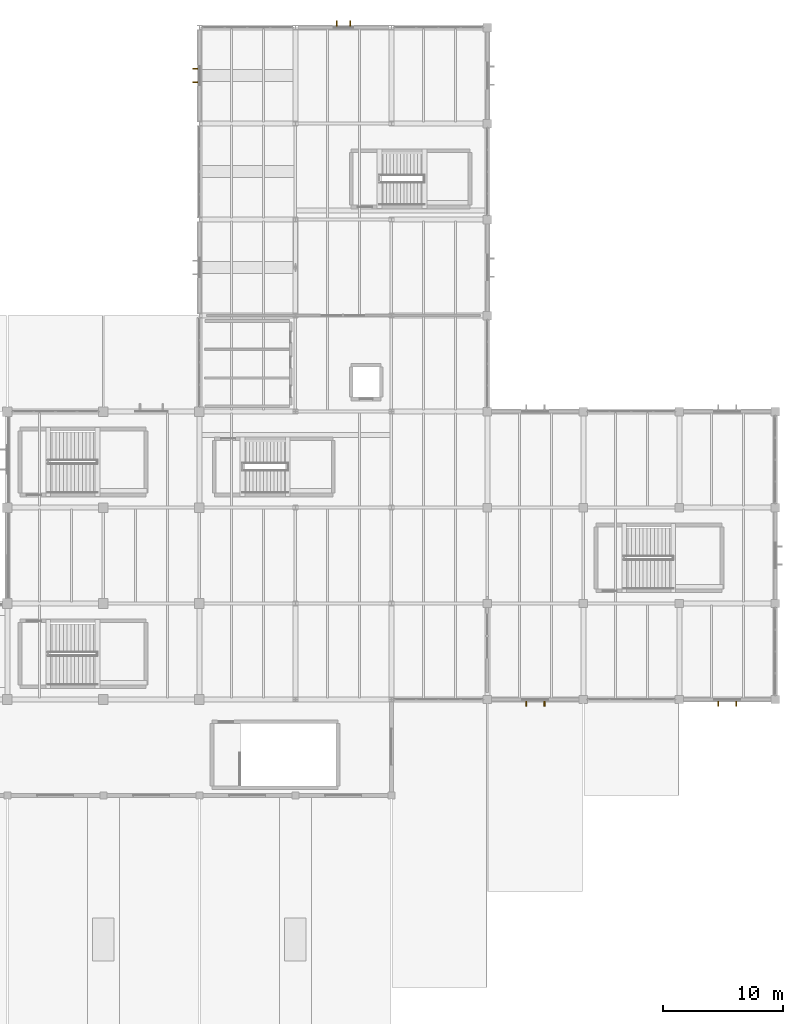
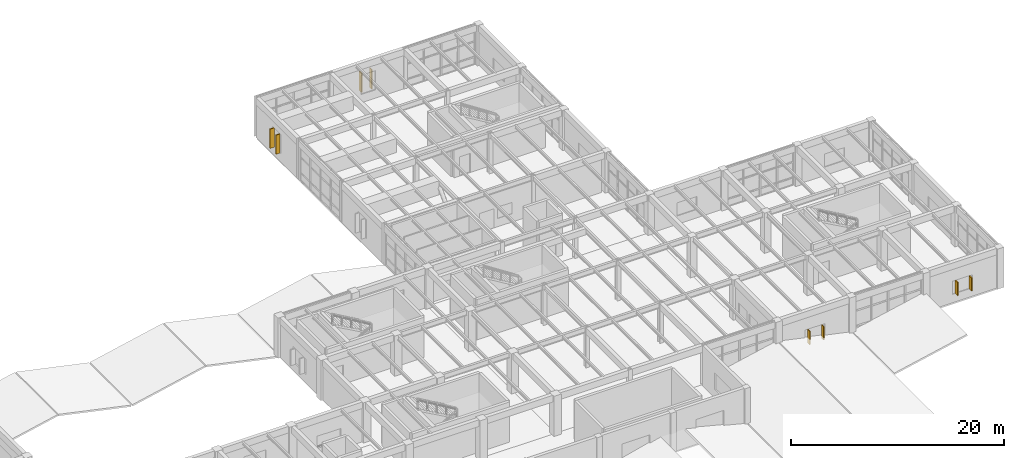
# One storey, part 58 of 60: 8 shading devices.
"""IFC4 building model written with IfcOpenShell, lengths in metres."""

import ifcopenshell
import ifcopenshell.guid

model = None  # the IFC model being written
_history = None  # IfcOwnerHistory: only IFC2X3 demands one
_inside = {}  # id of a spatial element -> (the spatial element, [elements in it])
_under = {}  # id of a project, library or spatial element -> (it, [spatial elements below it])
_declared = {}  # id of a project -> (the project, [libraries it declares])
_typed = {}  # id of a type object -> (the type object, [elements of that type])
_made_of = {}  # id of a material, layer set ... -> (it, [elements and type objects made of it])


def new_model(schema):
    """Start an empty IFC model of exactly this schema.

    Asked for "IFC4X3", IfcOpenShell would pick the latest addendum, in which some entities
    have other attributes; the version numbers below select the first issue.
    IFC2X3 requires an IfcOwnerHistory on every rooted entity: one is made here for all.
    """
    global model, _history
    if schema == "IFC4X3":
        model = ifcopenshell.file(schema_version=(4, 3, 0, 0))
    else:
        model = ifcopenshell.file(schema=schema)
    _inside.clear()
    _under.clear()
    _declared.clear()
    _typed.clear()
    _made_of.clear()
    _history = None
    if model.schema == "IFC2X3":
        org = make("IfcOrganization", Name="unknown")
        user = make(
            "IfcPersonAndOrganization",
            ThePerson=make("IfcPerson", FamilyName="unknown"),
            TheOrganization=org,
        )
        app = make(
            "IfcApplication",
            ApplicationDeveloper=org,
            Version="unknown",
            ApplicationFullName="unknown",
            ApplicationIdentifier="unknown",
        )
        _history = make(
            "IfcOwnerHistory",
            OwningUser=user,
            OwningApplication=app,
            ChangeAction="ADDED",
            CreationDate=0,
        )
    return model


def make(cls, **values):
    """One entity of the class cls with the attributes given. An attribute that is None is left unset."""
    return model.create_entity(
        cls, **{name: value for name, value in values.items() if value is not None}
    )


def rooted(cls, **values):
    """An entity with a GlobalId (a new one), such as an element, a storey or a relation."""
    return make(cls, GlobalId=ifcopenshell.guid.new(), OwnerHistory=_history, **values)


def si_unit(unit_type, name, prefix=None):
    """IfcSIUnit, for example si_unit("LENGTHUNIT", "METRE", prefix="MILLI")."""
    return make("IfcSIUnit", UnitType=unit_type, Prefix=prefix, Name=name)


def assignment(units):
    """IfcUnitAssignment: the units of a project."""
    return None if units is None else make("IfcUnitAssignment", Units=units)


def point(xyz):
    """IfcCartesianPoint."""
    return None if xyz is None else make("IfcCartesianPoint", Coordinates=xyz)


def direction(xyz):
    """IfcDirection."""
    return None if xyz is None else make("IfcDirection", DirectionRatios=xyz)


def frame(location, z_axis=None, x_axis=None):
    """IfcAxis2Placement3D, a coordinate frame: its origin and axes. An axis left out is left unset."""
    return make(
        "IfcAxis2Placement3D",
        Location=point(location),
        Axis=direction(z_axis),
        RefDirection=direction(x_axis),
    )


def frame_2d(location, x_axis=None):
    """IfcAxis2Placement2D, a coordinate frame in the plane: its origin and x axis."""
    return make(
        "IfcAxis2Placement2D", Location=point(location), RefDirection=direction(x_axis)
    )


def origin():
    """The frame at (0, 0, 0) with its axes left unset."""
    return frame((0.0, 0.0, 0.0))


def origin_2d():
    """The frame at (0, 0) in the plane with its x axis left unset."""
    return frame_2d((0.0, 0.0))


def place(relative_to, where):
    """IfcLocalPlacement: puts the frame where relative to a parent placement (None: the world)."""
    return make(
        "IfcLocalPlacement", PlacementRelTo=relative_to, RelativePlacement=where
    )


def context(
    kind, dimensions, precision=None, world=None, true_north=None, identifier=None
):
    """IfcGeometricRepresentationContext, for example the 3D "Model" context."""
    return make(
        "IfcGeometricRepresentationContext",
        ContextIdentifier=identifier,
        ContextType=kind,
        CoordinateSpaceDimension=dimensions,
        Precision=precision,
        WorldCoordinateSystem=world,
        TrueNorth=true_north,
    )


def subcontext(parent, identifier, kind, view, scale=None):
    """IfcGeometricRepresentationSubContext, for example "Body" below "Model"."""
    return make(
        "IfcGeometricRepresentationSubContext",
        ContextIdentifier=identifier,
        ContextType=kind,
        ParentContext=parent,
        TargetScale=scale,
        TargetView=view,
    )


def project(units=None, contexts=None):
    """IfcProject with its units and contexts."""
    return rooted(
        "IfcProject",
        Name="project",
        RepresentationContexts=contexts,
        UnitsInContext=assignment(units),
    )


def spatial(cls, under=None, at=None, **own):
    """A site, building, storey or space (cls), placed at a placement, below another one or the project."""
    s = rooted(cls, ObjectPlacement=at, **own)
    if under is not None:
        _under.setdefault(under.id(), (under, []))[1].append(s)
    return s


def profile(cls, at=None, kind="AREA", **sizes):
    """A parametric profile (cls). Its sizes go by their IFC names, for example OverallWidth=200.0."""
    return make(cls, ProfileType=kind, Position=at, **sizes)


def rectangle(**sizes):
    """IfcRectangleProfileDef."""
    return profile("IfcRectangleProfileDef", **sizes)


def extrude(swept, where, along, depth):
    """IfcExtrudedAreaSolid: the profile swept, set in the frame where, extruded along a direction by depth."""
    return make(
        "IfcExtrudedAreaSolid",
        SweptArea=swept,
        Position=where,
        ExtrudedDirection=direction(along),
        Depth=depth,
    )


def shape(context_of_items, identifier, shape_type, items):
    """IfcShapeRepresentation: the items that make up one representation, for example the "Body"."""
    return make(
        "IfcShapeRepresentation",
        ContextOfItems=context_of_items,
        RepresentationIdentifier=identifier,
        RepresentationType=shape_type,
        Items=items,
    )


def material(Name=None, Category=None):
    """IfcMaterial."""
    return make("IfcMaterial", Name=Name, Category=Category)


def made_of(thing, what):
    """Note that an element or type object is made of a material, layer set ...; save() writes the relation."""
    if what is not None:
        _made_of.setdefault(what.id(), (what, []))[1].append(thing)
    return thing


def type_object(cls, material=None, **own):
    """A type object (cls), such as IfcWallType, which elements share."""
    return made_of(rooted(cls, **own), material)


def element(
    cls,
    number,
    at=None,
    inside=None,
    cuts=None,
    type_object=None,
    material=None,
    context=None,
    identifier="Body",
    shape_type=None,
    held_by="IfcProductDefinitionShape",
    body=None,
    shapes=None,
    **own,
):
    """One element of the class cls, such as IfcWall. Its Tag is "e" and its number.

    at: its placement. inside: the storey or other place that contains it. cuts: it is an
    opening in that element (IfcRelVoidsElement). A single representation is given by context,
    identifier, shape_type and body (its items); several are given by shapes. held_by: the class
    of the entity that holds the representations. save() writes the other relations.
    """
    e = rooted(cls, Tag="e%d" % number, ObjectPlacement=at, **own)
    if body is not None:
        shapes = [shape(context, identifier, shape_type, body)]
    if shapes is not None:
        e.Representation = make(held_by, Representations=shapes)
    if inside is not None:
        _inside.setdefault(inside.id(), (inside, []))[1].append(e)
    if cuts is not None:
        rooted(
            "IfcRelVoidsElement", RelatingBuildingElement=cuts, RelatedOpeningElement=e
        )
    if type_object is not None:
        _typed.setdefault(type_object.id(), (type_object, []))[1].append(e)
    return made_of(e, material)


def aggregate(whole, parts):
    """IfcRelAggregates: a whole, such as a stair, and the parts it consists of."""
    return rooted("IfcRelAggregates", RelatingObject=whole, RelatedObjects=parts)


def save(model, path):
    """Write the relations noted so far, then the file.

    IfcRelAggregates (storeys below a building ...), IfcRelContainedInSpatialStructure (elements
    in a storey), IfcRelDefinesByType, IfcRelAssociatesMaterial and IfcRelDeclares: one each for
    every whole, place, type object, material and project.
    """
    for whole, parts in _under.values():
        aggregate(whole, parts)
    for where, things in _inside.values():
        rooted(
            "IfcRelContainedInSpatialStructure",
            RelatedElements=things,
            RelatingStructure=where,
        )
    for kind, things in _typed.values():
        rooted("IfcRelDefinesByType", RelatedObjects=things, RelatingType=kind)
    for what, things in _made_of.values():
        rooted("IfcRelAssociatesMaterial", RelatedObjects=things, RelatingMaterial=what)
    for by, libraries in _declared.values():
        rooted("IfcRelDeclares", RelatingContext=by, RelatedDefinitions=libraries)
    model.write(path)


model = new_model("IFC4")

# Units and contexts
model_context = context("Model", 3, precision=1e-05, world=origin(), true_north=direction((0.0, 1.0)))
body_context = subcontext(model_context, "Body", "Model", "MODEL_VIEW")
ifc_project = project(units=[si_unit("LENGTHUNIT", "METRE"), si_unit("AREAUNIT", "SQUARE_METRE"), si_unit("VOLUMEUNIT", "CUBIC_METRE"), si_unit("PLANEANGLEUNIT", "RADIAN"), si_unit("MASSUNIT", "GRAM", prefix="KILO")], contexts=[model_context])

# Site, building, storey
site_placement = place(None, origin())
site = spatial("IfcSite", under=ifc_project, at=site_placement, CompositionType="ELEMENT")
building_placement = place(site_placement, origin())
building = spatial("IfcBuilding", under=site, at=building_placement, Name="Varnela Railside Interchange", CompositionType="ELEMENT")
storey_placement = place(building_placement, frame((0.0, 0.0, 6.300048828125)))
storey = spatial("IfcBuildingStorey", under=building, at=storey_placement, Name="L01", CompositionType="ELEMENT", Elevation=6.300048828125)

# Shading devices
ifc_material = material(Name="Concrete C40 precast", Category="concrete")
shading_device_type = type_object("IfcShadingDeviceType", Name="Terracotta Vertical Sun Fin BS-02", PredefinedType="USERDEFINED", material=ifc_material)
for number, where, z_axis, x_axis, name in (
    (1, (115.64990234375, 89.43994140625, 0.9501953125), (0.0, 0.0, 1.0), (-1.0, 0.0, 0.0), "Terracotta Vertical Sun Fin BS-02 (L01)"),
    (2, (115.64990234375, 90.56005859375, 0.9501953125), (0.0, 0.0, 1.0), (-1.0, 0.0, 0.0), "Terracotta Vertical Sun Fin BS-02 (L01)"),
    (3, (127.43994140625, 94.35009765625, 0.9501953125), (0.0, 0.0, 1.0), (0.0, 1.0, 0.0), "Terracotta Vertical Sun Fin BS-02 (L01)"),
    (4, (128.56005859375, 94.35009765625, 0.9501953125), (0.0, 0.0, 1.0), (0.0, 1.0, 0.0), "Terracotta Vertical Sun Fin BS-02 (L01)"),
):
    element("IfcShadingDevice", number, at=place(storey_placement, frame(where, z_axis=z_axis, x_axis=x_axis)), inside=storey, type_object=shading_device_type, Name=name, ObjectType="FIN", PredefinedType="USERDEFINED", context=body_context, shape_type="SweptSolid", body=[
        extrude(rectangle(XDim=0.449951171875, YDim=0.10009765625, at=origin_2d()), origin(), (0.0, 0.0, 1.0), 2.199951171875),
    ])
for number, where, z_axis, x_axis, name in (
    (5, (160.75244140625, 37.64990234375, 0.949951171875), (0.0, 0.0, 1.0), (0.0, -1.0, 0.0), "Terracotta Vertical Sun Fin BS-02 (L01)"),
    (6, (159.24755859375, 37.64990234375, 0.949951171875), (0.0, 0.0, 1.0), (0.0, -1.0, 0.0), "Terracotta Vertical Sun Fin BS-02 (L01)"),
    (7, (144.75244140625, 37.64990234375, 0.949951171875), (0.0, 0.0, 1.0), (0.0, -1.0, 0.0), "Terracotta Vertical Sun Fin BS-02 (L01)"),
    (8, (143.24755859375, 37.64990234375, 0.949951171875), (0.0, 0.0, 1.0), (0.0, -1.0, 0.0), "Terracotta Vertical Sun Fin BS-02 (L01)"),
):
    element("IfcShadingDevice", number, at=place(storey_placement, frame(where, z_axis=z_axis, x_axis=x_axis)), inside=storey, type_object=shading_device_type, Name=name, ObjectType="FIN", PredefinedType="USERDEFINED", context=body_context, shape_type="SweptSolid", body=[
        extrude(rectangle(XDim=0.449951171875, YDim=0.10009765625, at=origin_2d()), origin(), (0.0, 0.0, 1.0), 1.5),
    ])

save(model, "model.ifc")
